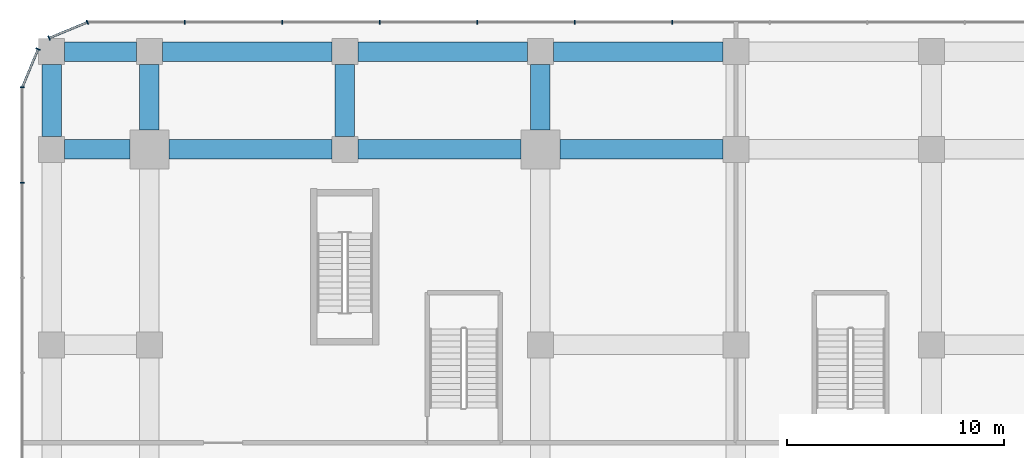
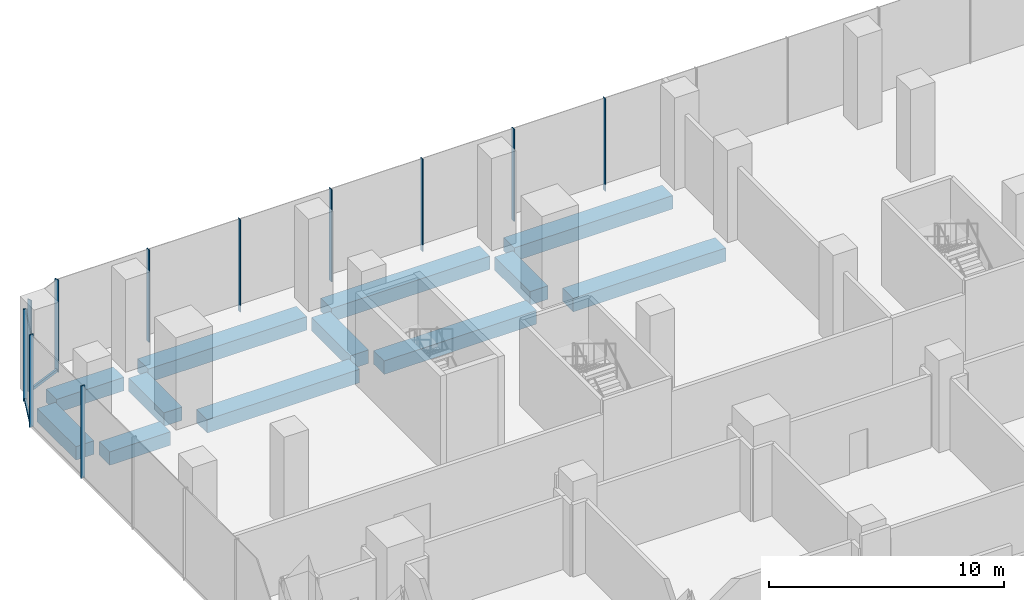
# One storey, part 21 of 42: 13 members, 12 beams, 4 elements without a shape of their own.
"""IFC4 building model written with IfcOpenShell, lengths in metres."""

from ifc_helpers import new_model, si_unit, direction, frame, origin, origin_2d, place, context, subcontext, project, spatial, rectangle, extrude, material, layer, layer_set, material_profile, profile_set, type_object, element, aggregate, save


model = new_model("IFC4")

# Units and contexts
model_context = context("Model", 3, precision=1e-05, world=origin(), true_north=direction((0.0, 1.0)))
body_context = subcontext(model_context, "Body", "Model", "MODEL_VIEW")
ifc_project = project(units=[si_unit("LENGTHUNIT", "METRE"), si_unit("AREAUNIT", "SQUARE_METRE"), si_unit("VOLUMEUNIT", "CUBIC_METRE"), si_unit("PLANEANGLEUNIT", "RADIAN"), si_unit("MASSUNIT", "GRAM", prefix="KILO")], contexts=[model_context])

# Site, building, storey
site_placement = place(None, origin())
site = spatial("IfcSite", under=ifc_project, at=site_placement, CompositionType="ELEMENT")
building_placement = place(site_placement, origin())
building = spatial("IfcBuilding", under=site, at=building_placement, Name="Plateau Cross Towers", CompositionType="ELEMENT")
storey_placement = place(building_placement, frame((0.0, 0.0, 8.0)))
storey = spatial("IfcBuildingStorey", under=building, at=storey_placement, Name="L01", CompositionType="ELEMENT", Elevation=8.0)

# Curtain wall, members
ifc_material_1 = material(Name="Dark low-iron laminated glass", Category="glass")
ifc_layer = layer(ifc_material_1, 0.300048828125)
ifc_layer_set = layer_set([ifc_layer], Name="Dark low-iron laminated glass")
curtain_wall_type = type_object("IfcCurtainWallType", Name="Curtain wall structural silicone CW-C", PredefinedType="NOTDEFINED", material=ifc_layer_set)
curtain_wall_1_placement = place(storey_placement, origin())
curtain_wall_1 = element("IfcCurtainWall", 1, at=curtain_wall_1_placement, inside=storey, type_object=curtain_wall_type, Name="ENV/P/L01/P1048_598", PredefinedType="NOTDEFINED")
ifc_material_2 = material(Name="Black anodised aluminium", Category="aluminium")
ifc_material_profile_1 = material_profile(ifc_material_2, rectangle(XDim=0.050048828125, YDim=0.199951171875, at=origin_2d()), Name="MULLION 50x200")
ifc_profile_set_1 = profile_set([ifc_material_profile_1], Name="Black anodised aluminium")
member_type_1 = type_object("IfcMemberType", Name="Mullion 50x200 structural silicone", PredefinedType="MULLION", material=ifc_profile_set_1)
member_1_placement = place(storey_placement, frame((24.074951171875, 59.85009765625, -0.35009765625), z_axis=(0.0, 0.0, 1.0), x_axis=(-1.0, 0.0, 0.0)))
member_1 = element("IfcMember", 2, at=member_1_placement, type_object=member_type_1, Name="CW-C mullion 19", PredefinedType="MULLION", context=body_context, shape_type="SweptSolid", body=[
    extrude(rectangle(XDim=0.050048828125, YDim=0.199951171875, at=origin_2d()), origin(), (0.0, 0.0, 1.0), 4.800048828125),
])
member_2_placement = place(storey_placement, frame((19.58740234375, 59.85009765625, -0.35009765625), z_axis=(0.0, 0.0, 1.0), x_axis=(-1.0, 0.0, 0.0)))
member_2 = element("IfcMember", 3, at=member_2_placement, type_object=member_type_1, Name="CW-C mullion 20", PredefinedType="MULLION", context=body_context, shape_type="SweptSolid", body=[
    extrude(rectangle(XDim=0.050048828125, YDim=0.199951171875, at=origin_2d()), origin(), (0.0, 0.0, 1.0), 4.800048828125),
])
member_3_placement = place(storey_placement, frame((15.10009765625, 59.85009765625, -0.35009765625), z_axis=(0.0, 0.0, 1.0), x_axis=(-1.0, 0.0, 0.0)))
member_3 = element("IfcMember", 4, at=member_3_placement, type_object=member_type_1, Name="CW-C mullion 21", PredefinedType="MULLION", context=body_context, shape_type="SweptSolid", body=[
    extrude(rectangle(XDim=0.050048828125, YDim=0.199951171875, at=origin_2d()), origin(), (0.0, 0.0, 1.0), 4.800048828125),
])
member_4_placement = place(storey_placement, frame((10.612548828125, 59.85009765625, -0.35009765625), z_axis=(0.0, 0.0, 1.0), x_axis=(-1.0, 0.0, 0.0)))
member_4 = element("IfcMember", 5, at=member_4_placement, type_object=member_type_1, Name="CW-C mullion 22", PredefinedType="MULLION", context=body_context, shape_type="SweptSolid", body=[
    extrude(rectangle(XDim=0.050048828125, YDim=0.199951171875, at=origin_2d()), origin(), (0.0, 0.0, 1.0), 4.800048828125),
])
member_5_placement = place(storey_placement, frame((6.125, 59.85009765625, -0.35009765625), z_axis=(0.0, 0.0, 1.0), x_axis=(-1.0, 0.0, 0.0)))
member_5 = element("IfcMember", 6, at=member_5_placement, type_object=member_type_1, Name="CW-C mullion 23", PredefinedType="MULLION", context=body_context, shape_type="SweptSolid", body=[
    extrude(rectangle(XDim=0.050048828125, YDim=0.199951171875, at=origin_2d()), origin(), (0.0, 0.0, 1.0), 4.800048828125),
])
member_6_placement = place(storey_placement, frame((1.637451171875, 59.85009765625, -0.35009765625), z_axis=(0.0, 0.0, 1.0), x_axis=(-1.0, 0.0, 0.0)))
member_6 = element("IfcMember", 7, at=member_6_placement, type_object=member_type_1, Name="CW-C mullion 24", PredefinedType="MULLION", context=body_context, shape_type="SweptSolid", body=[
    extrude(rectangle(XDim=0.050048828125, YDim=0.199951171875, at=origin_2d()), origin(), (0.0, 0.0, 1.0), 4.800048828125),
])
aggregate(curtain_wall_1, [member_1, member_2, member_3, member_4, member_5, member_6])

curtain_wall_2_placement = place(storey_placement, origin())
curtain_wall_2 = element("IfcCurtainWall", 8, at=curtain_wall_2_placement, inside=storey, type_object=curtain_wall_type, Name="ENV/P/L01/P-28_598", PredefinedType="NOTDEFINED")
member_7_placement = place(storey_placement, frame((-2.85009765625, 59.85009765625, -0.35009765625), z_axis=(0.0, 0.0, 1.0), x_axis=(-0.923879457699, -0.382683612978, 0.0)))
member_7 = element("IfcMember", 9, at=member_7_placement, type_object=member_type_1, Name="CW-C mullion 1", PredefinedType="MULLION", context=body_context, shape_type="SweptSolid", body=[
    extrude(rectangle(XDim=0.050048828125, YDim=0.199951171875, at=origin_2d()), origin(), (0.0, 0.0, 1.0), 4.800048828125),
])
member_8_placement = place(storey_placement, frame((-4.6123046875, 59.1201171875, -0.35009765625), z_axis=(0.0, 0.0, 1.0), x_axis=(-0.923879457699, -0.382683612978, 0.0)))
member_8 = element("IfcMember", 10, at=member_8_placement, type_object=member_type_1, Name="CW-C mullion 2", PredefinedType="MULLION", context=body_context, shape_type="SweptSolid", body=[
    extrude(rectangle(XDim=0.050048828125, YDim=0.199951171875, at=origin_2d()), origin(), (0.0, 0.0, 1.0), 4.800048828125),
])

# Curtain wall, member
curtain_wall_3_placement = place(storey_placement, origin())
curtain_wall_3 = element("IfcCurtainWall", 11, at=curtain_wall_3_placement, inside=storey, type_object=curtain_wall_type, Name="ENV/P/L01/P-51_586", PredefinedType="NOTDEFINED")
member_9_placement = place(storey_placement, frame((-5.1201171875, 58.6123046875, -0.35009765625), z_axis=(0.0, 0.0, 1.0), x_axis=(-0.382683612978, -0.923879457699, 0.0)))
member_9 = element("IfcMember", 12, at=member_9_placement, type_object=member_type_1, Name="CW-C mullion 1", PredefinedType="MULLION", context=body_context, shape_type="SweptSolid", body=[
    extrude(rectangle(XDim=0.050048828125, YDim=0.199951171875, at=origin_2d()), origin(), (0.0, 0.0, 1.0), 4.800048828125),
])

# Curtain wall, members
curtain_wall_4_placement = place(storey_placement, origin())
curtain_wall_4 = element("IfcCurtainWall", 13, at=curtain_wall_4_placement, inside=storey, type_object=curtain_wall_type, Name="ENV/P/L01/P-58_568", PredefinedType="NOTDEFINED")
member_10_placement = place(storey_placement, frame((-5.85009765625, 56.85009765625, -0.35009765625), z_axis=(0.0, 0.0, 1.0), x_axis=(0.0, -1.0, 0.0)))
member_10 = element("IfcMember", 14, at=member_10_placement, type_object=member_type_1, Name="CW-C mullion 1", PredefinedType="MULLION", context=body_context, shape_type="SweptSolid", body=[
    extrude(rectangle(XDim=0.050048828125, YDim=0.199951171875, at=origin_2d()), origin(), (0.0, 0.0, 1.0), 4.800048828125),
])
member_11_placement = place(storey_placement, frame((-5.85009765625, 52.469970703125, -0.35009765625), z_axis=(0.0, 0.0, 1.0), x_axis=(0.0, -1.0, 0.0)))
member_11 = element("IfcMember", 15, at=member_11_placement, type_object=member_type_1, Name="CW-C mullion 2", PredefinedType="MULLION", context=body_context, shape_type="SweptSolid", body=[
    extrude(rectangle(XDim=0.050048828125, YDim=0.199951171875, at=origin_2d()), origin(), (0.0, 0.0, 1.0), 4.800048828125),
])
aggregate(curtain_wall_4, [member_10, member_11])

# Beams
ifc_material_3 = material(Name="Concrete C50/60", Category="concrete")
ifc_material_profile_2 = material_profile(ifc_material_3, rectangle(XDim=0.89990234375, YDim=0.699951171875, at=origin_2d()), Name="RC 900x700")
ifc_profile_set_2 = profile_set([ifc_material_profile_2], Name="Concrete C50/60")
beam_type = type_object("IfcBeamType", Name="Podium band beam RC 900x700", PredefinedType="BEAM", material=ifc_profile_set_2)
beam_1_placement = place(storey_placement, frame((-3.89990234375, 54.0, -0.699951171875), z_axis=(1.0, 0.0, 0.0), x_axis=(0.0, 1.0, 0.0)))
element("IfcBeam", 16, at=beam_1_placement, inside=storey, type_object=beam_type, Name="PB67@L01", PredefinedType="BEAM", context=body_context, shape_type="SweptSolid", body=[
    extrude(rectangle(XDim=0.89990234375, YDim=0.699951171875, at=origin_2d()), origin(), (0.0, 0.0, 1.0), 3.0),
])
for number, where, z_axis, x_axis, name in (
    (17, (0.89990234375, 54.0, -0.699951171875), (1.0, 0.0, 0.0), (0.0, 1.0, 0.0), "PB68@L01"),
    (18, (9.60009765625, 54.0, -0.699951171875), (1.0, 0.0, 0.0), (0.0, 1.0, 0.0), "PB69@L01"),
    (19, (18.89990234375, 54.0, -0.699951171875), (1.0, 0.0, 0.0), (0.0, 1.0, 0.0), "PB70@L01"),
):
    element("IfcBeam", number, at=place(storey_placement, frame(where, z_axis=z_axis, x_axis=x_axis)), inside=storey, type_object=beam_type, Name=name, PredefinedType="BEAM", context=body_context, shape_type="SweptSolid", body=[
        extrude(rectangle(XDim=0.89990234375, YDim=0.699951171875, at=origin_2d()), origin(), (0.0, 0.0, 1.0), 7.5),
    ])
beam_2_placement = place(storey_placement, frame((-3.89990234375, 58.5, -0.699951171875), z_axis=(1.0, 0.0, 0.0), x_axis=(0.0, 1.0, 0.0)))
element("IfcBeam", 20, at=beam_2_placement, inside=storey, type_object=beam_type, Name="PB80@L01", PredefinedType="BEAM", context=body_context, shape_type="SweptSolid", body=[
    extrude(rectangle(XDim=0.89990234375, YDim=0.699951171875, at=origin_2d()), origin(), (0.0, 0.0, 1.0), 3.2998046875),
])
for number, where, z_axis, x_axis, name in (
    (21, (0.60009765625, 58.5, -0.699951171875), (1.0, 0.0, 0.0), (0.0, 1.0, 0.0), "PB81@L01"),
    (22, (9.60009765625, 58.5, -0.699951171875), (1.0, 0.0, 0.0), (0.0, 1.0, 0.0), "PB82@L01"),
    (23, (18.60009765625, 58.5, -0.699951171875), (1.0, 0.0, 0.0), (0.0, 1.0, 0.0), "PB83@L01"),
):
    element("IfcBeam", number, at=place(storey_placement, frame(where, z_axis=z_axis, x_axis=x_axis)), inside=storey, type_object=beam_type, Name=name, PredefinedType="BEAM", context=body_context, shape_type="SweptSolid", body=[
        extrude(rectangle(XDim=0.89990234375, YDim=0.699951171875, at=origin_2d()), origin(), (0.0, 0.0, 1.0), 7.7998046875),
    ])
beam_3_placement = place(storey_placement, frame((-4.5, 54.60009765625, -0.699951171875), z_axis=(0.0, 1.0, 0.0), x_axis=(-1.0, 0.0, 0.0)))
element("IfcBeam", 24, at=beam_3_placement, inside=storey, type_object=beam_type, Name="PB100@L01", PredefinedType="BEAM", context=body_context, shape_type="SweptSolid", body=[
    extrude(rectangle(XDim=0.89990234375, YDim=0.699951171875, at=origin_2d()), origin(), (0.0, 0.0, 1.0), 3.2998046875),
])
beam_4_placement = place(storey_placement, frame((0.0, 54.89990234375, -0.699951171875), z_axis=(0.0, 1.0, 0.0), x_axis=(-1.0, 0.0, 0.0)))
element("IfcBeam", 25, at=beam_4_placement, inside=storey, type_object=beam_type, Name="PB105@L01", PredefinedType="BEAM", context=body_context, shape_type="SweptSolid", body=[
    extrude(rectangle(XDim=0.89990234375, YDim=0.699951171875, at=origin_2d()), origin(), (0.0, 0.0, 1.0), 3.0),
])
beam_5_placement = place(storey_placement, frame((9.0, 54.60009765625, -0.699951171875), z_axis=(0.0, 1.0, 0.0), x_axis=(-1.0, 0.0, 0.0)))
element("IfcBeam", 26, at=beam_5_placement, inside=storey, type_object=beam_type, Name="PB108@L01", PredefinedType="BEAM", context=body_context, shape_type="SweptSolid", body=[
    extrude(rectangle(XDim=0.89990234375, YDim=0.699951171875, at=origin_2d()), origin(), (0.0, 0.0, 1.0), 3.2998046875),
])
beam_6_placement = place(storey_placement, frame((18.0, 54.89990234375, -0.699951171875), z_axis=(0.0, 1.0, 0.0), x_axis=(-1.0, 0.0, 0.0)))
element("IfcBeam", 27, at=beam_6_placement, inside=storey, type_object=beam_type, Name="PB113@L01", PredefinedType="BEAM", context=body_context, shape_type="SweptSolid", body=[
    extrude(rectangle(XDim=0.89990234375, YDim=0.699951171875, at=origin_2d()), origin(), (0.0, 0.0, 1.0), 3.0),
])

# Member
ifc_material_profile_3 = material_profile(ifc_material_2, rectangle(XDim=0.10009765625, YDim=0.14990234375, at=origin_2d()), Name="TRANSOM 100x150")
ifc_profile_set_3 = profile_set([ifc_material_profile_3], Name="Black anodised aluminium")
member_type_2 = type_object("IfcMemberType", Name="Transom 100x150 structural silicone", PredefinedType="USERDEFINED", material=ifc_profile_set_3)
member_12_placement = place(storey_placement, frame((-2.85009765625, 59.85009765625, -0.27490234375), z_axis=(-0.923870187147, -0.38270599329, 0.0), x_axis=(0.38270599329, -0.923870187147, 0.0)))
member_12 = element("IfcMember", 28, at=member_12_placement, type_object=member_type_2, Name="CW-C transom", ObjectType="TRANSOM", PredefinedType="USERDEFINED", context=body_context, shape_type="SweptSolid", body=[
    extrude(rectangle(XDim=0.10009765625, YDim=0.14990234375, at=origin_2d()), origin(), (0.0, 0.0, 1.0), 1.907470703125),
])

aggregate(curtain_wall_2, [member_7, member_8, member_12])

member_13_placement = place(storey_placement, frame((-5.1201171875, 58.6123046875, -0.27490234375), z_axis=(-0.38270599329, -0.923870187147, 0.0), x_axis=(0.923870187147, -0.38270599329, 0.0)))
member_13 = element("IfcMember", 29, at=member_13_placement, type_object=member_type_2, Name="CW-C transom", ObjectType="TRANSOM", PredefinedType="USERDEFINED", context=body_context, shape_type="SweptSolid", body=[
    extrude(rectangle(XDim=0.10009765625, YDim=0.14990234375, at=origin_2d()), origin(), (0.0, 0.0, 1.0), 1.907470703125),
])

aggregate(curtain_wall_3, [member_9, member_13])

save(model, "model.ifc")
